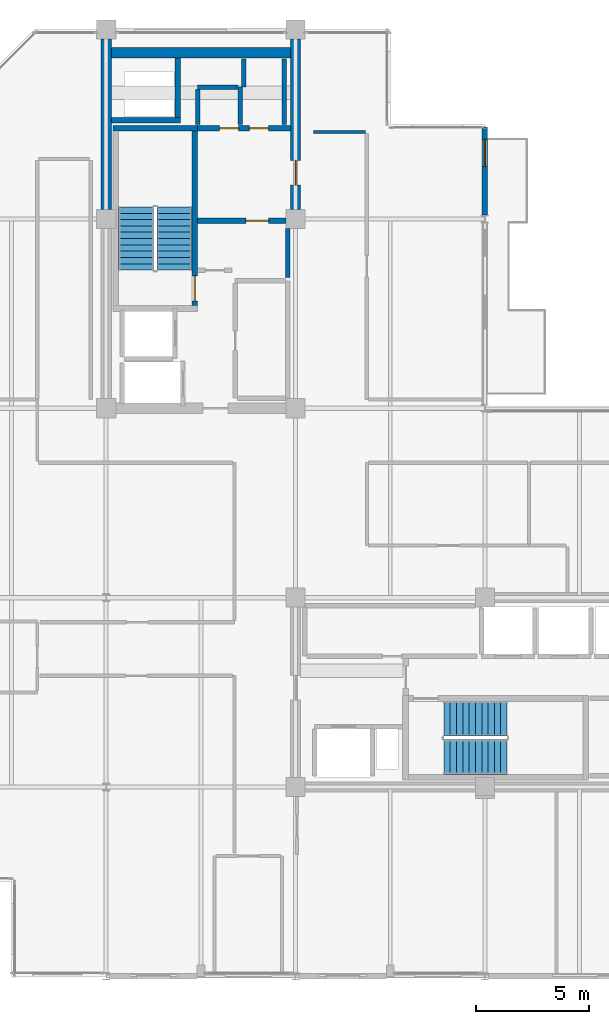
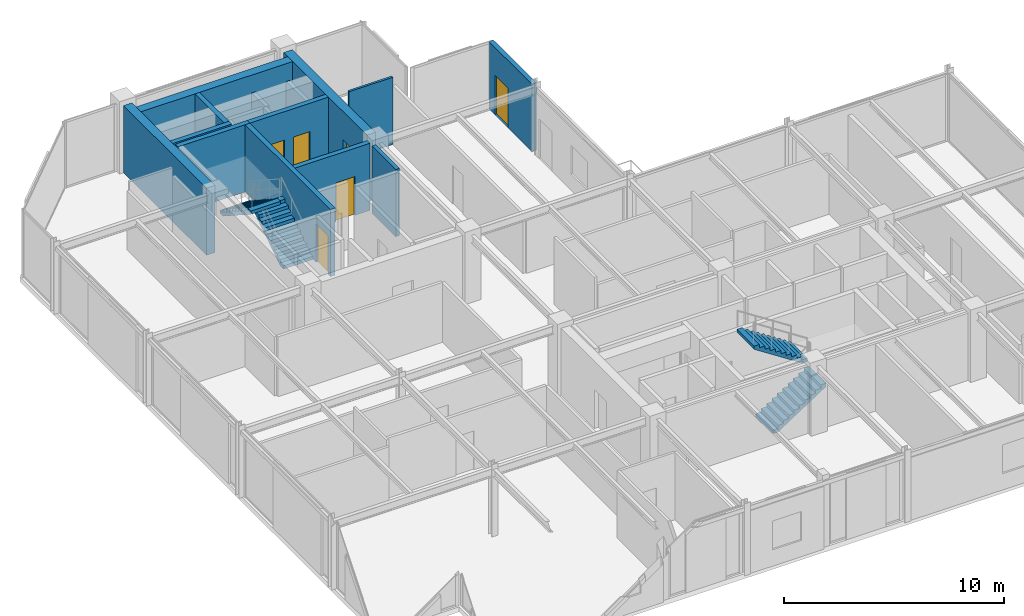
# One storey, part 23 of 26: 17 walls, 6 doors, 4 stair flights, 6 openings, 2 elements without a shape of their own.
"""IFC4 building model written with IfcOpenShell, lengths in metres."""

import ifcopenshell
import ifcopenshell.guid

model = None  # the IFC model being written
_history = None  # IfcOwnerHistory: only IFC2X3 demands one
_inside = {}  # id of a spatial element -> (the spatial element, [elements in it])
_under = {}  # id of a project, library or spatial element -> (it, [spatial elements below it])
_declared = {}  # id of a project -> (the project, [libraries it declares])
_typed = {}  # id of a type object -> (the type object, [elements of that type])
_made_of = {}  # id of a material, layer set ... -> (it, [elements and type objects made of it])


def new_model(schema):
    """Start an empty IFC model of exactly this schema.

    Asked for "IFC4X3", IfcOpenShell would pick the latest addendum, in which some entities
    have other attributes; the version numbers below select the first issue.
    IFC2X3 requires an IfcOwnerHistory on every rooted entity: one is made here for all.
    """
    global model, _history
    if schema == "IFC4X3":
        model = ifcopenshell.file(schema_version=(4, 3, 0, 0))
    else:
        model = ifcopenshell.file(schema=schema)
    _inside.clear()
    _under.clear()
    _declared.clear()
    _typed.clear()
    _made_of.clear()
    _history = None
    if model.schema == "IFC2X3":
        org = make("IfcOrganization", Name="unknown")
        user = make(
            "IfcPersonAndOrganization",
            ThePerson=make("IfcPerson", FamilyName="unknown"),
            TheOrganization=org,
        )
        app = make(
            "IfcApplication",
            ApplicationDeveloper=org,
            Version="unknown",
            ApplicationFullName="unknown",
            ApplicationIdentifier="unknown",
        )
        _history = make(
            "IfcOwnerHistory",
            OwningUser=user,
            OwningApplication=app,
            ChangeAction="ADDED",
            CreationDate=0,
        )
    return model


def make(cls, **values):
    """One entity of the class cls with the attributes given. An attribute that is None is left unset."""
    return model.create_entity(
        cls, **{name: value for name, value in values.items() if value is not None}
    )


def rooted(cls, **values):
    """An entity with a GlobalId (a new one), such as an element, a storey or a relation."""
    return make(cls, GlobalId=ifcopenshell.guid.new(), OwnerHistory=_history, **values)


def si_unit(unit_type, name, prefix=None):
    """IfcSIUnit, for example si_unit("LENGTHUNIT", "METRE", prefix="MILLI")."""
    return make("IfcSIUnit", UnitType=unit_type, Prefix=prefix, Name=name)


def assignment(units):
    """IfcUnitAssignment: the units of a project."""
    return None if units is None else make("IfcUnitAssignment", Units=units)


def point(xyz):
    """IfcCartesianPoint."""
    return None if xyz is None else make("IfcCartesianPoint", Coordinates=xyz)


def direction(xyz):
    """IfcDirection."""
    return None if xyz is None else make("IfcDirection", DirectionRatios=xyz)


def frame(location, z_axis=None, x_axis=None):
    """IfcAxis2Placement3D, a coordinate frame: its origin and axes. An axis left out is left unset."""
    return make(
        "IfcAxis2Placement3D",
        Location=point(location),
        Axis=direction(z_axis),
        RefDirection=direction(x_axis),
    )


def frame_2d(location, x_axis=None):
    """IfcAxis2Placement2D, a coordinate frame in the plane: its origin and x axis."""
    return make(
        "IfcAxis2Placement2D", Location=point(location), RefDirection=direction(x_axis)
    )


def origin():
    """The frame at (0, 0, 0) with its axes left unset."""
    return frame((0.0, 0.0, 0.0))


def place(relative_to, where):
    """IfcLocalPlacement: puts the frame where relative to a parent placement (None: the world)."""
    return make(
        "IfcLocalPlacement", PlacementRelTo=relative_to, RelativePlacement=where
    )


def context(
    kind, dimensions, precision=None, world=None, true_north=None, identifier=None
):
    """IfcGeometricRepresentationContext, for example the 3D "Model" context."""
    return make(
        "IfcGeometricRepresentationContext",
        ContextIdentifier=identifier,
        ContextType=kind,
        CoordinateSpaceDimension=dimensions,
        Precision=precision,
        WorldCoordinateSystem=world,
        TrueNorth=true_north,
    )


def subcontext(parent, identifier, kind, view, scale=None):
    """IfcGeometricRepresentationSubContext, for example "Body" below "Model"."""
    return make(
        "IfcGeometricRepresentationSubContext",
        ContextIdentifier=identifier,
        ContextType=kind,
        ParentContext=parent,
        TargetScale=scale,
        TargetView=view,
    )


def project(units=None, contexts=None):
    """IfcProject with its units and contexts."""
    return rooted(
        "IfcProject",
        Name="project",
        RepresentationContexts=contexts,
        UnitsInContext=assignment(units),
    )


def spatial(cls, under=None, at=None, **own):
    """A site, building, storey or space (cls), placed at a placement, below another one or the project."""
    s = rooted(cls, ObjectPlacement=at, **own)
    if under is not None:
        _under.setdefault(under.id(), (under, []))[1].append(s)
    return s


def polyline(points):
    """IfcPolyline through the points."""
    return make("IfcPolyline", Points=[point(p) for p in points])


def profile(cls, at=None, kind="AREA", **sizes):
    """A parametric profile (cls). Its sizes go by their IFC names, for example OverallWidth=200.0."""
    return make(cls, ProfileType=kind, Position=at, **sizes)


def rectangle(**sizes):
    """IfcRectangleProfileDef."""
    return profile("IfcRectangleProfileDef", **sizes)


def outline(outer, holes=None, kind="AREA"):
    """IfcArbitraryClosedProfileDef: a profile drawn as a closed curve; with holes, ...WithVoids."""
    if holes is None:
        return make("IfcArbitraryClosedProfileDef", ProfileType=kind, OuterCurve=outer)
    return make(
        "IfcArbitraryProfileDefWithVoids",
        ProfileType=kind,
        OuterCurve=outer,
        InnerCurves=holes,
    )


def extrude(swept, where, along, depth):
    """IfcExtrudedAreaSolid: the profile swept, set in the frame where, extruded along a direction by depth."""
    return make(
        "IfcExtrudedAreaSolid",
        SweptArea=swept,
        Position=where,
        ExtrudedDirection=direction(along),
        Depth=depth,
    )


def shape(context_of_items, identifier, shape_type, items):
    """IfcShapeRepresentation: the items that make up one representation, for example the "Body"."""
    return make(
        "IfcShapeRepresentation",
        ContextOfItems=context_of_items,
        RepresentationIdentifier=identifier,
        RepresentationType=shape_type,
        Items=items,
    )


def material(Name=None, Category=None):
    """IfcMaterial."""
    return make("IfcMaterial", Name=Name, Category=Category)


def layer(
    of_material, thickness, ventilated=None, Name=None, Category=None, Priority=None
):
    """IfcMaterialLayer: one layer of a wall or slab, of a material (None: an air gap)."""
    return make(
        "IfcMaterialLayer",
        Material=of_material,
        LayerThickness=thickness,
        IsVentilated=ventilated,
        Name=Name,
        Category=Category,
        Priority=Priority,
    )


def layer_set(layers, Name=None):
    """IfcMaterialLayerSet."""
    return make("IfcMaterialLayerSet", MaterialLayers=layers, LayerSetName=Name)


def made_of(thing, what):
    """Note that an element or type object is made of a material, layer set ...; save() writes the relation."""
    if what is not None:
        _made_of.setdefault(what.id(), (what, []))[1].append(thing)
    return thing


def type_object(cls, material=None, **own):
    """A type object (cls), such as IfcWallType, which elements share."""
    return made_of(rooted(cls, **own), material)


def element(
    cls,
    number,
    at=None,
    inside=None,
    cuts=None,
    type_object=None,
    material=None,
    context=None,
    identifier="Body",
    shape_type=None,
    held_by="IfcProductDefinitionShape",
    body=None,
    shapes=None,
    **own,
):
    """One element of the class cls, such as IfcWall. Its Tag is "e" and its number.

    at: its placement. inside: the storey or other place that contains it. cuts: it is an
    opening in that element (IfcRelVoidsElement). A single representation is given by context,
    identifier, shape_type and body (its items); several are given by shapes. held_by: the class
    of the entity that holds the representations. save() writes the other relations.
    """
    e = rooted(cls, Tag="e%d" % number, ObjectPlacement=at, **own)
    if body is not None:
        shapes = [shape(context, identifier, shape_type, body)]
    if shapes is not None:
        e.Representation = make(held_by, Representations=shapes)
    if inside is not None:
        _inside.setdefault(inside.id(), (inside, []))[1].append(e)
    if cuts is not None:
        rooted(
            "IfcRelVoidsElement", RelatingBuildingElement=cuts, RelatedOpeningElement=e
        )
    if type_object is not None:
        _typed.setdefault(type_object.id(), (type_object, []))[1].append(e)
    return made_of(e, material)


def fill(opening, filler):
    """IfcRelFillsElement: the door or window that sits in an opening."""
    return rooted(
        "IfcRelFillsElement",
        RelatingOpeningElement=opening,
        RelatedBuildingElement=filler,
    )


def aggregate(whole, parts):
    """IfcRelAggregates: a whole, such as a stair, and the parts it consists of."""
    return rooted("IfcRelAggregates", RelatingObject=whole, RelatedObjects=parts)


def save(model, path):
    """Write the relations noted so far, then the file.

    IfcRelAggregates (storeys below a building ...), IfcRelContainedInSpatialStructure (elements
    in a storey), IfcRelDefinesByType, IfcRelAssociatesMaterial and IfcRelDeclares: one each for
    every whole, place, type object, material and project.
    """
    for whole, parts in _under.values():
        aggregate(whole, parts)
    for where, things in _inside.values():
        rooted(
            "IfcRelContainedInSpatialStructure",
            RelatedElements=things,
            RelatingStructure=where,
        )
    for kind, things in _typed.values():
        rooted("IfcRelDefinesByType", RelatedObjects=things, RelatingType=kind)
    for what, things in _made_of.values():
        rooted("IfcRelAssociatesMaterial", RelatedObjects=things, RelatingMaterial=what)
    for by, libraries in _declared.values():
        rooted("IfcRelDeclares", RelatingContext=by, RelatedDefinitions=libraries)
    model.write(path)


model = new_model("IFC4")

# Units and contexts
model_context = context("Model", 3, precision=1e-05, world=origin(), true_north=direction((0.0, 1.0)))
body_context = subcontext(model_context, "Body", "Model", "MODEL_VIEW")
ifc_project = project(units=[si_unit("LENGTHUNIT", "METRE"), si_unit("AREAUNIT", "SQUARE_METRE"), si_unit("VOLUMEUNIT", "CUBIC_METRE"), si_unit("PLANEANGLEUNIT", "RADIAN"), si_unit("MASSUNIT", "GRAM", prefix="KILO")], contexts=[model_context])

# Site, building, storey
site_placement = place(None, origin())
site = spatial("IfcSite", under=ifc_project, at=site_placement, CompositionType="ELEMENT")
building_placement = place(site_placement, origin())
building = spatial("IfcBuilding", under=site, at=building_placement, Name="Nerrivon Quay Data Exchange", CompositionType="ELEMENT")
storey_placement = place(building_placement, frame((0.0, 0.0, 262.199951171875)))
storey = spatial("IfcBuildingStorey", under=building, at=storey_placement, Name="L62", CompositionType="ELEMENT", Elevation=262.199951171875)

# Wall, opening, door
ifc_material_1 = material(Name="Architectural terracotta precast concrete N50 (50 MPa)", Category="masonry")
ifc_layer_1 = layer(ifc_material_1, 0.239990234375)
ifc_layer_set_1 = layer_set([ifc_layer_1], Name="Architectural terracotta precast concrete N50 (50 MPa)")
wall_type_1 = type_object("IfcWallType", Name="EW-PREC-240", PredefinedType="STANDARD", material=ifc_layer_set_1)
wall_1_placement = place(storey_placement, frame((25.199951171875, 37.679931640625, 0.0), z_axis=(0.0, 0.0, 1.0), x_axis=(0.0, -1.0, 0.0)))
wall_1 = element("IfcWall", 1, at=wall_1_placement, inside=storey, type_object=wall_type_1, Name="L62 Terrace Host Wall 22", PredefinedType="STANDARD", context=body_context, shape_type="SweptSolid", body=[
    extrude(rectangle(XDim=3.91650390625, YDim=0.239990234375, at=frame_2d((1.958251953125, 0.0))), origin(), (0.0, 0.0, 1.0), 3.72509765625),
])
opening_1_placement = place(wall_1_placement, frame((0.550048828125, 0.0, 0.0)))
opening_1 = element("IfcOpeningElement", 2, at=opening_1_placement, cuts=wall_1, Name="Opening TD1", PredefinedType="OPENING", context=body_context, shape_type="SweptSolid", body=[
    extrude(rectangle(XDim=1.199951171875, YDim=2.199951171875, at=frame_2d((0.60009765625, 1.10009765625))), frame((0.0, 0.1298828125, 0.0), z_axis=(0.0, -1.0, 0.0), x_axis=(1.0, 0.0, 0.0)), (0.0, 0.0, 1.0), 0.260009765625),
])
ifc_material_2 = material(Name="Double-glazed low-E solar control glass", Category="glass")
door_type_1 = type_object("IfcDoorType", Name="DR-TERR-1200x2200", OperationType="NOTDEFINED", PredefinedType="DOOR", material=ifc_material_2)
door_1_placement = place(opening_1_placement, origin())
door_1 = element("IfcDoor", 3, at=door_1_placement, inside=storey, type_object=door_type_1, Name="L62 Outdoor Terrace Access Door 22", OperationType="SINGLE_SWING_LEFT", OverallHeight=2.199951171875, OverallWidth=1.199951171875, PredefinedType="DOOR", context=body_context, shape_type="SweptSolid", body=[
    extrude(rectangle(XDim=1.199951171875, YDim=2.199951171875, at=frame_2d((0.60009765625, 1.10009765625))), frame((0.0, 0.02490234375, 0.0), z_axis=(0.0, -1.0, 0.0), x_axis=(1.0, 0.0, 0.0)), (0.0, 0.0, 1.0), 0.050048828125),
])
fill(opening_1, door_1)

# Walls
ifc_material_3 = material(Name="Concrete N50 (50 MPa)", Category="concrete")
ifc_layer_2 = layer(ifc_material_3, 0.449951171875)
ifc_layer_set_2 = layer_set([ifc_layer_2], Name="Concrete N50 (50 MPa)")
wall_type_2 = type_object("IfcWallType", Name="WALL-CW-550", PredefinedType="SHEAR", material=ifc_layer_set_2)
wall_2_placement = place(storey_placement, frame((8.39990234375, 34.02490234375, 0.0), z_axis=(0.0, 0.0, 1.0), x_axis=(0.0, 1.0, 0.0)))
element("IfcWall", 4, at=wall_2_placement, inside=storey, type_object=wall_type_2, Name="L62 West Split-Core Shear Wall WCW-W2", PredefinedType="SHEAR", context=body_context, shape_type="SweptSolid", body=[
    extrude(rectangle(XDim=7.550048828125, YDim=0.449951171875, at=frame_2d((3.77490234375, 0.0))), origin(), (0.0, 0.0, 1.0), 3.72509765625),
])
wall_3_placement = place(storey_placement, frame((8.625, 40.97509765625, 0.0), z_axis=(0.0, 0.0, 1.0), x_axis=(1.0, 0.0, 0.0)))
element("IfcWall", 5, at=wall_3_placement, inside=storey, type_object=wall_type_2, Name="L62 West Split-Core Shear Wall WCW-N1", PredefinedType="SHEAR", context=body_context, shape_type="SweptSolid", body=[
    extrude(rectangle(XDim=7.949951171875, YDim=0.449951171875, at=frame_2d((3.97509765625, 0.0))), origin(), (0.0, 0.0, 1.0), 3.72509765625),
])

# Wall, opening, door
wall_4_placement = place(storey_placement, frame((16.800048828125, 34.02490234375, 0.0), z_axis=(0.0, 0.0, 1.0), x_axis=(0.0, 1.0, 0.0)))
wall_4 = element("IfcWall", 6, at=wall_4_placement, inside=storey, type_object=wall_type_2, Name="L62 West Split-Core Shear Wall WCW-E1", PredefinedType="SHEAR", context=body_context, shape_type="SweptSolid", body=[
    extrude(rectangle(XDim=7.550048828125, YDim=0.449951171875, at=frame_2d((3.77490234375, 0.0))), origin(), (0.0, 0.0, 1.0), 3.72509765625),
])
opening_2_placement = place(wall_4_placement, frame((1.074951171875, 0.0, 0.0)))
opening_2 = element("IfcOpeningElement", 7, at=opening_2_placement, cuts=wall_4, Name="Opening FD-120", PredefinedType="OPENING", context=body_context, shape_type="SweptSolid", body=[
    extrude(rectangle(XDim=1.10009765625, YDim=2.14990234375, at=frame_2d((0.550048828125, 1.074951171875))), frame((0.0, 0.23486328125, 0.0), z_axis=(0.0, -1.0, 0.0), x_axis=(1.0, 0.0, 0.0)), (0.0, 0.0, 1.0), 0.469970703125),
])
ifc_material_4 = material(Name="Powder-coated galvanized steel sheet", Category="steel")
door_type_2 = type_object("IfcDoorType", Name="DR-FD120-1100", OperationType="NOTDEFINED", PredefinedType="DOOR", material=ifc_material_4)
door_2_placement = place(opening_2_placement, origin())
door_2 = element("IfcDoor", 8, at=door_2_placement, inside=storey, type_object=door_type_2, Name="L62 West Core Lobby Fire Door", OperationType="SINGLE_SWING_LEFT", OverallHeight=2.14990234375, OverallWidth=1.10009765625, PredefinedType="DOOR", context=body_context, shape_type="SweptSolid", body=[
    extrude(rectangle(XDim=1.10009765625, YDim=2.14990234375, at=frame_2d((0.550048828125, 1.074951171875))), frame((0.0, 0.02490234375, 0.0), z_axis=(0.0, -1.0, 0.0), x_axis=(1.0, 0.0, 0.0)), (0.0, 0.0, 1.0), 0.050048828125),
])
fill(opening_2, door_2)

# Walls
ifc_material_5 = material(Name="Gypsum plasterboard on cold-formed framing", Category="gypsum")
ifc_layer_3 = layer(ifc_material_5, 0.199951171875)
ifc_layer_set_3 = layer_set([ifc_layer_3], Name="Gypsum plasterboard on cold-formed framing")
wall_type_3 = type_object("IfcWallType", Name="WALL-FW-200", PredefinedType="PARTITIONING", material=ifc_layer_set_3)
wall_5_placement = place(storey_placement, frame((16.449951171875, 31.0, 0.0), z_axis=(0.0, 0.0, 1.0), x_axis=(0.0, 1.0, 0.0)))
element("IfcWall", 9, at=wall_5_placement, inside=storey, type_object=wall_type_3, Name="L62 Partition Core Equipment Closet", PredefinedType="PARTITIONING", context=body_context, shape_type="SweptSolid", body=[
    extrude(rectangle(XDim=2.169921875, YDim=0.199951171875, at=frame_2d((1.0849609375, 0.0))), origin(), (0.0, 0.0, 1.0), 3.72509765625),
])
wall_6_placement = place(storey_placement, frame((14.35009765625, 37.780029296875, 0.0), z_axis=(0.0, 0.0, 1.0), x_axis=(0.0, 1.0, 0.0)))
element("IfcWall", 10, at=wall_6_placement, inside=storey, type_object=wall_type_3, Name="L62 Partition Equipment Store", PredefinedType="PARTITIONING", context=body_context, shape_type="SweptSolid", body=[
    extrude(rectangle(XDim=1.669921875, YDim=0.199951171875, at=frame_2d((0.8349609375, 0.0))), origin(), (0.0, 0.0, 1.0), 2.775146484375),
])
wall_7_placement = place(storey_placement, frame((14.24609375, 39.449951171875, 0.0), z_axis=(0.0, 0.0, 1.0), x_axis=(-1.0, 0.0, 0.0)))
element("IfcWall", 11, at=wall_7_placement, inside=storey, type_object=wall_type_3, Name="L62 Partition Equipment Store", PredefinedType="PARTITIONING", context=body_context, shape_type="SweptSolid", body=[
    extrude(rectangle(XDim=1.796142578125, YDim=0.199951171875, at=frame_2d((0.89794921875, 0.0))), origin(), (0.0, 0.0, 1.0), 2.775146484375),
])
wall_8_placement = place(storey_placement, frame((12.449951171875, 39.345947265625, 0.0), z_axis=(0.0, 0.0, 1.0), x_axis=(0.0, -1.0, 0.0)))
element("IfcWall", 12, at=wall_8_placement, inside=storey, type_object=wall_type_3, Name="L62 Partition Equipment Store", PredefinedType="PARTITIONING", context=body_context, shape_type="SweptSolid", body=[
    extrude(rectangle(XDim=1.56591796875, YDim=0.199951171875, at=frame_2d((0.782958984375, 0.0))), origin(), (0.0, 0.0, 1.0), 2.775146484375),
])
wall_9_placement = place(storey_placement, frame((16.300048828125, 37.780029296875, 0.0), z_axis=(0.0, 0.0, 1.0), x_axis=(0.0, 1.0, 0.0)))
element("IfcWall", 13, at=wall_9_placement, inside=storey, type_object=wall_type_3, Name="L62 Partition Cleaners Store", PredefinedType="PARTITIONING", context=body_context, shape_type="SweptSolid", body=[
    extrude(rectangle(XDim=2.919921875, YDim=0.199951171875, at=frame_2d((1.4599609375, 0.0))), origin(), (0.0, 0.0, 1.0), 2.775146484375),
])
wall_10_placement = place(storey_placement, frame((14.489990234375, 40.699951171875, 0.0), z_axis=(0.0, 0.0, 1.0), x_axis=(0.0, -1.0, 0.0)))
element("IfcWall", 14, at=wall_10_placement, inside=storey, type_object=wall_type_3, Name="L62 Partition Cleaners Store", PredefinedType="PARTITIONING", context=body_context, shape_type="SweptSolid", body=[
    extrude(rectangle(XDim=1.25, YDim=0.199951171875, at=frame_2d((0.625, 0.0))), origin(), (0.0, 0.0, 1.0), 2.775146484375),
])
ifc_layer_4 = layer(ifc_material_5, 0.1201171875)
ifc_layer_set_4 = layer_set([ifc_layer_4], Name="Gypsum plasterboard on cold-formed framing")
wall_type_4 = type_object("IfcWallType", Name="WALL-PT-120", PredefinedType="PARTITIONING", material=ifc_layer_set_4)
wall_11_placement = place(storey_placement, frame((17.60009765625, 37.4599609375, 0.0), z_axis=(0.0, 0.0, 1.0), x_axis=(1.0, 0.0, 0.0)))
element("IfcWall", 15, at=wall_11_placement, inside=storey, type_object=wall_type_4, Name="L62 Partition Technical Library", PredefinedType="PARTITIONING", context=body_context, shape_type="SweptSolid", body=[
    extrude(rectangle(XDim=2.2998046875, YDim=0.1201171875, at=frame_2d((1.14990234375, 0.0))), origin(), (0.0, 0.0, 1.0), 3.72509765625),
])
ifc_layer_5 = layer(ifc_material_3, 0.25)
ifc_layer_set_5 = layer_set([ifc_layer_5], Name="Concrete N50 (50 MPa)")
wall_type_5 = type_object("IfcWallType", Name="WALL-SW-250", PredefinedType="SHEAR", material=ifc_layer_set_5)
wall_12_placement = place(storey_placement, frame((12.449951171875, 37.625, 0.0), z_axis=(0.0, 0.0, 1.0), x_axis=(-1.0, 0.0, 0.0)))
element("IfcWall", 16, at=wall_12_placement, inside=storey, type_object=wall_type_5, Name="L62 ST01 Structural Stair Core Wall FAR", PredefinedType="SHEAR", context=body_context, shape_type="SweptSolid", body=[
    extrude(rectangle(XDim=3.75, YDim=0.25, at=frame_2d((1.875, 0.0))), origin(), (0.0, 0.0, 1.0), 3.72509765625),
])

# Wall, opening, door
wall_13_placement = place(storey_placement, frame((12.324951171875, 29.75, 0.0), z_axis=(0.0, 0.0, 1.0), x_axis=(0.0, 1.0, 0.0)))
wall_13 = element("IfcWall", 17, at=wall_13_placement, inside=storey, type_object=wall_type_5, Name="L62 ST01 Structural Stair Core Wall LEFT", PredefinedType="SHEAR", context=body_context, shape_type="SweptSolid", body=[
    extrude(rectangle(XDim=7.75, YDim=0.25, at=frame_2d((3.875, 0.0))), origin(), (0.0, 0.0, 1.0), 3.72509765625),
])
opening_3_placement = place(wall_13_placement, frame((0.219970703125, 0.0, 0.0)))
opening_3 = element("IfcOpeningElement", 18, at=opening_3_placement, cuts=wall_13, Name="Opening FD-120", PredefinedType="OPENING", context=body_context, shape_type="SweptSolid", body=[
    extrude(rectangle(XDim=1.10009765625, YDim=2.14990234375, at=frame_2d((0.550048828125, 1.074951171875))), frame((0.0, 0.135009765625, 0.0), z_axis=(0.0, -1.0, 0.0), x_axis=(1.0, 0.0, 0.0)), (0.0, 0.0, 1.0), 0.27001953125),
])
door_3_placement = place(opening_3_placement, origin())
door_3 = element("IfcDoor", 19, at=door_3_placement, inside=storey, type_object=door_type_2, Name="L62 Protected Stair Door ST01", OperationType="SINGLE_SWING_LEFT", OverallHeight=2.14990234375, OverallWidth=1.10009765625, PredefinedType="DOOR", context=body_context, shape_type="SweptSolid", body=[
    extrude(rectangle(XDim=1.10009765625, YDim=2.14990234375, at=frame_2d((0.550048828125, 1.074951171875))), frame((0.0, 0.02490234375, 0.0), z_axis=(0.0, -1.0, 0.0), x_axis=(1.0, 0.0, 0.0)), (0.0, 0.0, 1.0), 0.050048828125),
])
fill(opening_3, door_3)

# Walls
wall_14_placement = place(storey_placement, frame((8.625, 37.97509765625, 0.0), z_axis=(0.0, 0.0, 1.0), x_axis=(1.0, 0.0, 0.0)))
element("IfcWall", 20, at=wall_14_placement, inside=storey, type_object=wall_type_5, Name="L62 West Core MEP Riser Shaft Wall S", PredefinedType="SHEAR", context=body_context, shape_type="SweptSolid", body=[
    extrude(rectangle(XDim=3.074951171875, YDim=0.25, at=frame_2d((1.53759765625, 0.0))), origin(), (0.0, 0.0, 1.0), 3.72509765625),
])
wall_15_placement = place(storey_placement, frame((11.574951171875, 38.10009765625, 0.0), z_axis=(0.0, 0.0, 1.0), x_axis=(0.0, 1.0, 0.0)))
element("IfcWall", 21, at=wall_15_placement, inside=storey, type_object=wall_type_5, Name="L62 West Core MEP Riser Shaft Wall E", PredefinedType="SHEAR", context=body_context, shape_type="SweptSolid", body=[
    extrude(rectangle(XDim=2.64990234375, YDim=0.25, at=frame_2d((1.324951171875, 0.0))), origin(), (0.0, 0.0, 1.0), 3.72509765625),
])

# Wall, opening, door
wall_16_placement = place(storey_placement, frame((12.449951171875, 33.52001953125, 0.0), z_axis=(0.0, 0.0, 1.0), x_axis=(1.0, 0.0, 0.0)))
wall_16 = element("IfcWall", 22, at=wall_16_placement, inside=storey, type_object=wall_type_5, Name="L62 West Lobby Smoke-Stop Wall", PredefinedType="SHEAR", context=body_context, shape_type="SweptSolid", body=[
    extrude(rectangle(XDim=3.925048828125, YDim=0.25, at=frame_2d((1.96240234375, 0.0))), origin(), (0.0, 0.0, 1.0), 3.72509765625),
])
opening_4_placement = place(wall_16_placement, frame((2.14990234375, 0.0, 0.0)))
opening_4 = element("IfcOpeningElement", 23, at=opening_4_placement, cuts=wall_16, Name="Opening FD-60", PredefinedType="OPENING", context=body_context, shape_type="SweptSolid", body=[
    extrude(rectangle(XDim=1.0, YDim=2.14990234375, at=frame_2d((0.5, 1.074951171875))), frame((0.0, 0.135009765625, 0.0), z_axis=(0.0, -1.0, 0.0), x_axis=(1.0, 0.0, 0.0)), (0.0, 0.0, 1.0), 0.27001953125),
])
ifc_material_6 = material(Name="Engineered hardwood timber", Category="wood")
door_type_3 = type_object("IfcDoorType", Name="DR-FD60-1000", OperationType="NOTDEFINED", PredefinedType="DOOR", material=ifc_material_6)
door_4_placement = place(opening_4_placement, origin())
door_4 = element("IfcDoor", 24, at=door_4_placement, inside=storey, type_object=door_type_3, Name="L62 West Firefighting Lobby Fire Door", OperationType="SINGLE_SWING_LEFT", OverallHeight=2.14990234375, OverallWidth=1.0, PredefinedType="DOOR", context=body_context, shape_type="SweptSolid", body=[
    extrude(rectangle(XDim=1.0, YDim=2.14990234375, at=frame_2d((0.5, 1.074951171875))), frame((0.0, 0.02490234375, 0.0), z_axis=(0.0, -1.0, 0.0), x_axis=(1.0, 0.0, 0.0)), (0.0, 0.0, 1.0), 0.050048828125),
])
fill(opening_4, door_4)

# Wall, openings, doors
wall_17_placement = place(storey_placement, frame((12.449951171875, 37.625, 0.0), z_axis=(0.0, 0.0, 1.0), x_axis=(1.0, 0.0, 0.0)))
wall_17 = element("IfcWall", 25, at=wall_17_placement, inside=storey, type_object=wall_type_5, Name="L62 West Firefighting Lobby Wall", PredefinedType="SHEAR", context=body_context, shape_type="SweptSolid", body=[
    extrude(rectangle(XDim=4.125, YDim=0.25, at=frame_2d((2.0625, 0.0))), origin(), (0.0, 0.0, 1.0), 3.72509765625),
])
opening_5_placement = place(wall_17_placement, frame((0.9775390625, 0.0, 0.0)))
opening_5 = element("IfcOpeningElement", 26, at=opening_5_placement, cuts=wall_17, Name="Opening FD-60S", PredefinedType="OPENING", context=body_context, shape_type="SweptSolid", body=[
    extrude(rectangle(XDim=0.85009765625, YDim=2.14990234375, at=frame_2d((0.425048828125, 1.074951171875))), frame((0.0, 0.135009765625, 0.0), z_axis=(0.0, -1.0, 0.0), x_axis=(1.0, 0.0, 0.0)), (0.0, 0.0, 1.0), 0.27001953125),
])
opening_6_placement = place(wall_17_placement, frame((2.297607421875, 0.0, 0.0)))
opening_6 = element("IfcOpeningElement", 27, at=opening_6_placement, cuts=wall_17, Name="Opening FD-60S", PredefinedType="OPENING", context=body_context, shape_type="SweptSolid", body=[
    extrude(rectangle(XDim=0.85009765625, YDim=2.14990234375, at=frame_2d((0.425048828125, 1.074951171875))), frame((0.0, 0.135009765625, 0.0), z_axis=(0.0, -1.0, 0.0), x_axis=(1.0, 0.0, 0.0)), (0.0, 0.0, 1.0), 0.27001953125),
])
door_type_4 = type_object("IfcDoorType", Name="DR-FD60-850", OperationType="NOTDEFINED", PredefinedType="DOOR", material=ifc_material_6)
door_5_placement = place(opening_5_placement, origin())
door_5 = element("IfcDoor", 28, at=door_5_placement, inside=storey, type_object=door_type_4, Name="L62 Door Equipment Store", OperationType="SINGLE_SWING_LEFT", OverallHeight=2.14990234375, OverallWidth=0.85009765625, PredefinedType="DOOR", context=body_context, shape_type="SweptSolid", body=[
    extrude(rectangle(XDim=0.85009765625, YDim=2.14990234375, at=frame_2d((0.425048828125, 1.074951171875))), frame((0.0, 0.02490234375, 0.0), z_axis=(0.0, -1.0, 0.0), x_axis=(1.0, 0.0, 0.0)), (0.0, 0.0, 1.0), 0.050048828125),
])
fill(opening_5, door_5)
door_6_placement = place(opening_6_placement, origin())
door_6 = element("IfcDoor", 29, at=door_6_placement, inside=storey, type_object=door_type_4, Name="L62 Door Cleaners Store", OperationType="SINGLE_SWING_RIGHT", OverallHeight=2.14990234375, OverallWidth=0.85009765625, PredefinedType="DOOR", context=body_context, shape_type="SweptSolid", body=[
    extrude(rectangle(XDim=0.85009765625, YDim=2.14990234375, at=frame_2d((0.425048828125, 1.074951171875))), frame((0.0, 0.02490234375, 0.0), z_axis=(0.0, -1.0, 0.0), x_axis=(1.0, 0.0, 0.0)), (0.0, 0.0, 1.0), 0.050048828125),
])
fill(opening_6, door_6)

# Stair, stair flights
stair_type = type_object("IfcStairType", Name="STAIR-DOG-40", PredefinedType="HALF_TURN_STAIR", material=ifc_material_3)
stair_1_placement = place(storey_placement, origin())
stair_1 = element("IfcStair", 30, at=stair_1_placement, inside=storey, type_object=stair_type, Name="L62 West Core Fire Stair ST01", PredefinedType="HALF_TURN_STAIR")
stair_flight_type = type_object("IfcStairFlightType", Name="FLIGHT-DOG-40", PredefinedType="STRAIGHT", material=ifc_material_3)
stair_flight_1_placement = place(storey_placement, frame((11.425048828125, 31.330078125, 0.0), z_axis=(0.0, 0.0, 1.0), x_axis=(0.0, 1.0, 0.0)))
stair_flight_1 = element("IfcStairFlight", 31, at=stair_flight_1_placement, type_object=stair_flight_type, Name="ST01 flight 1", NumberOfRisers=11, NumberOfTreads=10, PredefinedType="STRAIGHT", RiserHeight=0.181818182, TreadLength=0.28, context=body_context, shape_type="SweptSolid", body=[
    extrude(outline(polyline([(0.0, 0.0), (0.0, 0.181884765625), (0.280029296875, 0.181884765625), (0.280029296875, 0.363525390625), (0.56005859375, 0.363525390625), (0.56005859375, 0.54541015625), (0.840087890625, 0.54541015625), (0.840087890625, 0.727294921875), (1.1201171875, 0.727294921875), (1.1201171875, 0.9091796875), (1.39990234375, 0.9091796875), (1.39990234375, 1.0908203125), (1.679931640625, 1.0908203125), (1.679931640625, 1.272705078125), (1.9599609375, 1.272705078125), (1.9599609375, 1.45458984375), (2.239990234375, 1.45458984375), (2.239990234375, 1.636474609375), (2.52001953125, 1.636474609375), (2.52001953125, 1.818115234375), (2.800048828125, 1.818115234375), (2.800048828125, 2.0), (2.800048828125, 1.639404296875), (0.275146484375, 0.0), (0.0, 0.0)])), frame((0.0, 0.77490234375, 0.0), z_axis=(0.0, -1.0, 0.0), x_axis=(1.0, 0.0, 0.0)), (0.0, 0.0, 1.0), 1.550048828125),
])
stair_flight_2_placement = place(storey_placement, frame((9.72509765625, 34.1298828125, 2.0), z_axis=(0.0, 0.0, 1.0), x_axis=(0.0, -1.0, 0.0)))
stair_flight_2 = element("IfcStairFlight", 32, at=stair_flight_2_placement, type_object=stair_flight_type, Name="ST01 flight 2", NumberOfRisers=11, NumberOfTreads=10, PredefinedType="STRAIGHT", RiserHeight=0.181818182, TreadLength=0.28, context=body_context, shape_type="SweptSolid", body=[
    extrude(outline(polyline([(0.0, 0.0), (0.0, 0.181884765625), (0.280029296875, 0.181884765625), (0.280029296875, 0.363525390625), (0.56005859375, 0.363525390625), (0.56005859375, 0.54541015625), (0.840087890625, 0.54541015625), (0.840087890625, 0.727294921875), (1.1201171875, 0.727294921875), (1.1201171875, 0.9091796875), (1.39990234375, 0.9091796875), (1.39990234375, 1.0908203125), (1.679931640625, 1.0908203125), (1.679931640625, 1.272705078125), (1.9599609375, 1.272705078125), (1.9599609375, 1.45458984375), (2.239990234375, 1.45458984375), (2.239990234375, 1.636474609375), (2.52001953125, 1.636474609375), (2.52001953125, 1.818115234375), (2.800048828125, 1.818115234375), (2.800048828125, 2.0), (2.800048828125, 1.639404296875), (0.275146484375, 0.0), (0.0, 0.0)])), frame((0.0, 0.77490234375, 0.0), z_axis=(0.0, -1.0, 0.0), x_axis=(1.0, 0.0, 0.0)), (0.0, 0.0, 1.0), 1.550048828125),
])
aggregate(stair_1, [stair_flight_1, stair_flight_2])

stair_2_placement = place(storey_placement, origin())
stair_2 = element("IfcStair", 33, at=stair_2_placement, inside=storey, type_object=stair_type, Name="L62 East Core Fire Stair ST02", PredefinedType="HALF_TURN_STAIR")
stair_flight_3_placement = place(storey_placement, frame((23.3798828125, 9.72509765625, 0.0), z_axis=(0.0, 0.0, 1.0), x_axis=(1.0, 0.0, 0.0)))
stair_flight_3 = element("IfcStairFlight", 34, at=stair_flight_3_placement, type_object=stair_flight_type, Name="ST02 flight 1", NumberOfRisers=11, NumberOfTreads=10, PredefinedType="STRAIGHT", RiserHeight=0.181818182, TreadLength=0.28, context=body_context, shape_type="SweptSolid", body=[
    extrude(outline(polyline([(0.0, 0.0), (0.0, 0.181884765625), (0.280029296875, 0.181884765625), (0.280029296875, 0.363525390625), (0.56005859375, 0.363525390625), (0.56005859375, 0.54541015625), (0.840087890625, 0.54541015625), (0.840087890625, 0.727294921875), (1.1201171875, 0.727294921875), (1.1201171875, 0.9091796875), (1.39990234375, 0.9091796875), (1.39990234375, 1.0908203125), (1.679931640625, 1.0908203125), (1.679931640625, 1.272705078125), (1.9599609375, 1.272705078125), (1.9599609375, 1.45458984375), (2.239990234375, 1.45458984375), (2.239990234375, 1.636474609375), (2.52001953125, 1.636474609375), (2.52001953125, 1.818115234375), (2.800048828125, 1.818115234375), (2.800048828125, 2.0), (2.800048828125, 1.639404296875), (0.275146484375, 0.0), (0.0, 0.0)])), frame((0.0, 0.77490234375, 0.0), z_axis=(0.0, -1.0, 0.0), x_axis=(1.0, 0.0, 0.0)), (0.0, 0.0, 1.0), 1.550048828125),
])
stair_flight_4_placement = place(storey_placement, frame((26.179931640625, 11.425048828125, 2.0), z_axis=(0.0, 0.0, 1.0), x_axis=(-1.0, 0.0, 0.0)))
stair_flight_4 = element("IfcStairFlight", 35, at=stair_flight_4_placement, type_object=stair_flight_type, Name="ST02 flight 2", NumberOfRisers=11, NumberOfTreads=10, PredefinedType="STRAIGHT", RiserHeight=0.181818182, TreadLength=0.28, context=body_context, shape_type="SweptSolid", body=[
    extrude(outline(polyline([(0.0, 0.0), (0.0, 0.181884765625), (0.280029296875, 0.181884765625), (0.280029296875, 0.363525390625), (0.56005859375, 0.363525390625), (0.56005859375, 0.54541015625), (0.840087890625, 0.54541015625), (0.840087890625, 0.727294921875), (1.1201171875, 0.727294921875), (1.1201171875, 0.9091796875), (1.39990234375, 0.9091796875), (1.39990234375, 1.0908203125), (1.679931640625, 1.0908203125), (1.679931640625, 1.272705078125), (1.9599609375, 1.272705078125), (1.9599609375, 1.45458984375), (2.239990234375, 1.45458984375), (2.239990234375, 1.636474609375), (2.52001953125, 1.636474609375), (2.52001953125, 1.818115234375), (2.800048828125, 1.818115234375), (2.800048828125, 2.0), (2.800048828125, 1.639404296875), (0.275146484375, 0.0), (0.0, 0.0)])), frame((0.0, 0.77490234375, 0.0), z_axis=(0.0, -1.0, 0.0), x_axis=(1.0, 0.0, 0.0)), (0.0, 0.0, 1.0), 1.550048828125),
])
aggregate(stair_2, [stair_flight_3, stair_flight_4])

save(model, "model.ifc")
